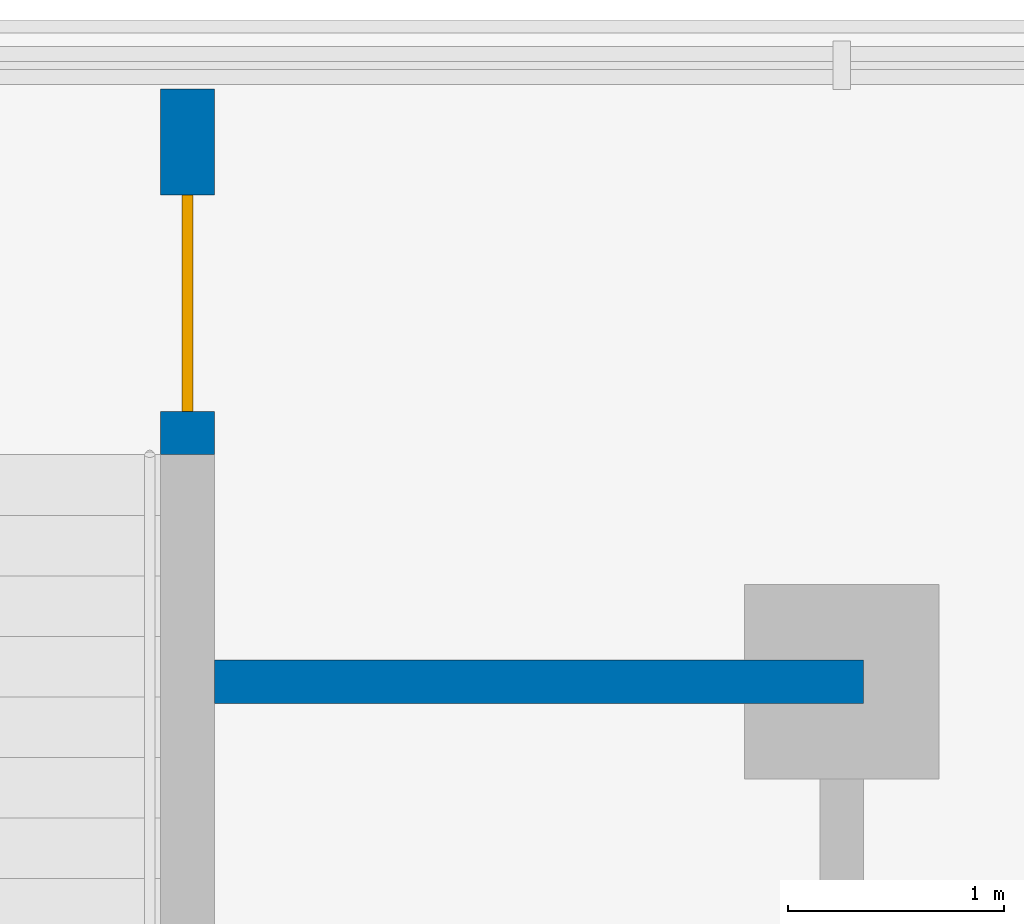
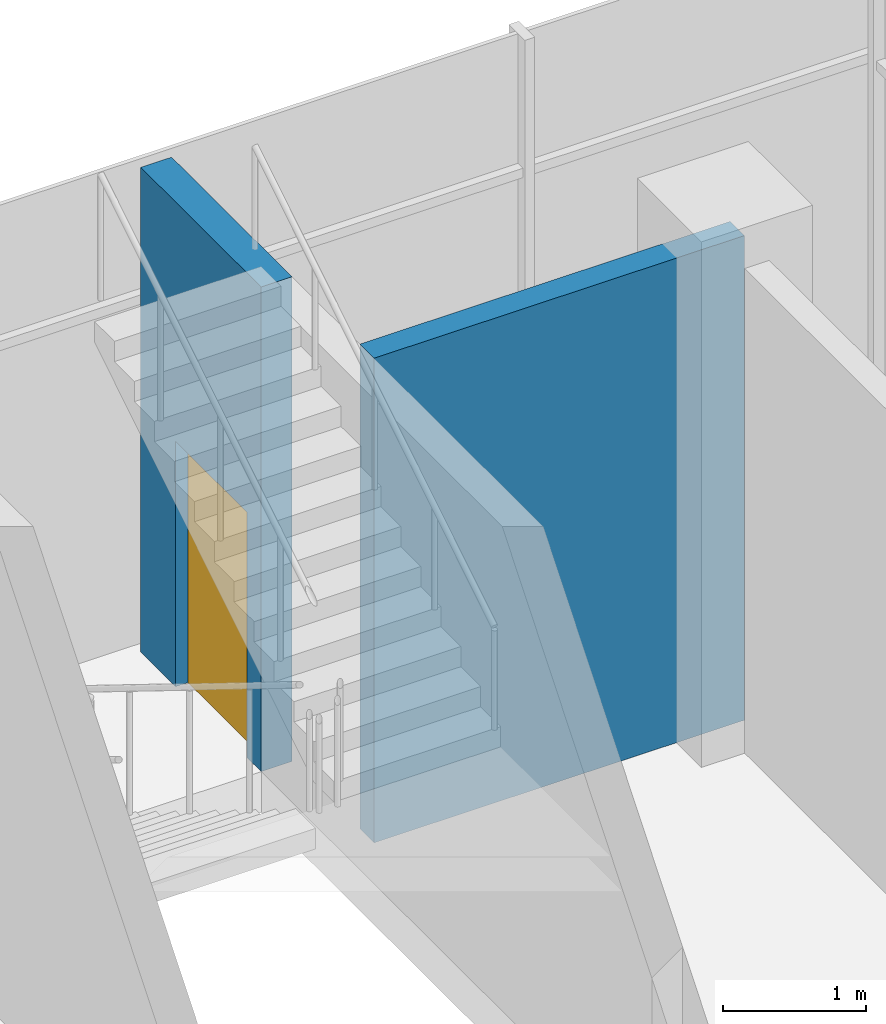
# One storey, part 19 of 22: 2 walls, 1 door, 1 opening.
"""IFC4 building model written with IfcOpenShell, lengths in metres."""

from ifc_helpers import new_model, si_unit, direction, frame, frame_2d, origin, place, context, subcontext, project, spatial, rectangle, extrude, material, layer, layer_set, type_object, element, fill, save


model = new_model("IFC4")

# Units and contexts
model_context = context("Model", 3, precision=1e-05, world=origin(), true_north=direction((0.0, 1.0)))
body_context = subcontext(model_context, "Body", "Model", "MODEL_VIEW")
ifc_project = project(units=[si_unit("LENGTHUNIT", "METRE"), si_unit("AREAUNIT", "SQUARE_METRE"), si_unit("VOLUMEUNIT", "CUBIC_METRE"), si_unit("PLANEANGLEUNIT", "RADIAN"), si_unit("MASSUNIT", "GRAM", prefix="KILO")], contexts=[model_context])

# Site, building, storey
site_placement = place(None, origin())
site = spatial("IfcSite", under=ifc_project, at=site_placement, CompositionType="ELEMENT")
building_placement = place(site_placement, origin())
building = spatial("IfcBuilding", under=site, at=building_placement, Name="Finial Court Residences", CompositionType="ELEMENT")
storey_placement = place(building_placement, frame((0.0, 0.0, 23.5)))
storey = spatial("IfcBuildingStorey", under=building, at=storey_placement, Name="L04", CompositionType="ELEMENT", Elevation=23.5)

# Wall
ifc_material_1 = material(Name="Gypsum board")
ifc_layer_1 = layer(ifc_material_1, 0.02490234375)
ifc_material_2 = material(Name="Acoustic mineral wool in double frame")
ifc_layer_2 = layer(ifc_material_2, 0.14990234375)
ifc_layer_3 = layer(ifc_material_1, 0.02490234375)
ifc_layer_set_1 = layer_set([ifc_layer_1, ifc_layer_2, ifc_layer_3], Name="Corridor wall 200, 1 hour")
wall_type_1 = type_object("IfcWallType", Name="Corridor wall 200, 1 hour", PredefinedType="PARTITIONING", material=ifc_layer_set_1)
wall_1_placement = place(storey_placement, frame((55.60009765625, 31.5, 0.0), z_axis=(0.0, 0.0, 1.0), x_axis=(1.0, 0.0, 0.0)))
element("IfcWall", 1, at=wall_1_placement, inside=storey, type_object=wall_type_1, Name="Partition L04-039", PredefinedType="PARTITIONING", context=body_context, shape_type="SweptSolid", body=[
    extrude(rectangle(XDim=3.0, YDim=0.199951171875, at=frame_2d((1.5, 0.0))), origin(), (0.0, 0.0, 1.0), 4.14990234375),
])

# Wall, opening, door
ifc_material_3 = material(Name="Concrete C50/60", Category="concrete")
ifc_layer_4 = layer(ifc_material_3, 0.25)
ifc_layer_set_2 = layer_set([ifc_layer_4], Name="Stair enclosure wall 250 Concrete C50/60")
wall_type_2 = type_object("IfcWallType", Name="Stair enclosure wall 250 Concrete C50/60", PredefinedType="SHEAR", material=ifc_layer_set_2)
wall_2_placement = place(storey_placement, frame((55.47509765625, 32.550048828125, 0.0), z_axis=(0.0, 0.0, 1.0), x_axis=(0.0, 1.0, 0.0)))
wall_2 = element("IfcWall", 2, at=wall_2_placement, inside=storey, type_object=wall_type_2, Name="Exit Stair 5 enclosure wall L04-E1", PredefinedType="SHEAR", context=body_context, shape_type="SweptSolid", body=[
    extrude(rectangle(XDim=1.68994140625, YDim=0.25, at=frame_2d((0.844970703125, 0.0))), origin(), (0.0, 0.0, 1.0), 4.14990234375),
])
opening_placement = place(wall_2_placement, frame((0.199951171875, 0.0, 0.0)))
opening = element("IfcOpeningElement", 3, at=opening_placement, cuts=wall_2, Name="Opening L04-S5E", PredefinedType="OPENING", context=body_context, shape_type="SweptSolid", body=[
    extrude(rectangle(XDim=1.0, YDim=2.10009765625, at=frame_2d((0.5, 1.050048828125))), frame((0.0, 0.135009765625, 0.0), z_axis=(0.0, -1.0, 0.0), x_axis=(1.0, 0.0, 0.0)), (0.0, 0.0, 1.0), 0.27001953125),
])
ifc_material_4 = material(Name="Steel fire door", Category="steel")
door_type = type_object("IfcDoorType", Name="Stair door 1000 x 2100 EI 90", OperationType="NOTDEFINED", PredefinedType="DOOR", material=ifc_material_4)
door_placement = place(opening_placement, origin())
door = element("IfcDoor", 4, at=door_placement, inside=storey, type_object=door_type, Name="Exit Stair 5 east door L04", OperationType="SINGLE_SWING_RIGHT", OverallHeight=2.10009765625, OverallWidth=1.0, PredefinedType="DOOR", context=body_context, shape_type="SweptSolid", body=[
    extrude(rectangle(XDim=1.0, YDim=2.10009765625, at=frame_2d((0.5, 1.050048828125))), frame((0.0, 0.02490234375, 0.0), z_axis=(0.0, -1.0, 0.0), x_axis=(1.0, 0.0, 0.0)), (0.0, 0.0, 1.0), 0.050048828125),
])
fill(opening, door)

save(model, "model.ifc")
